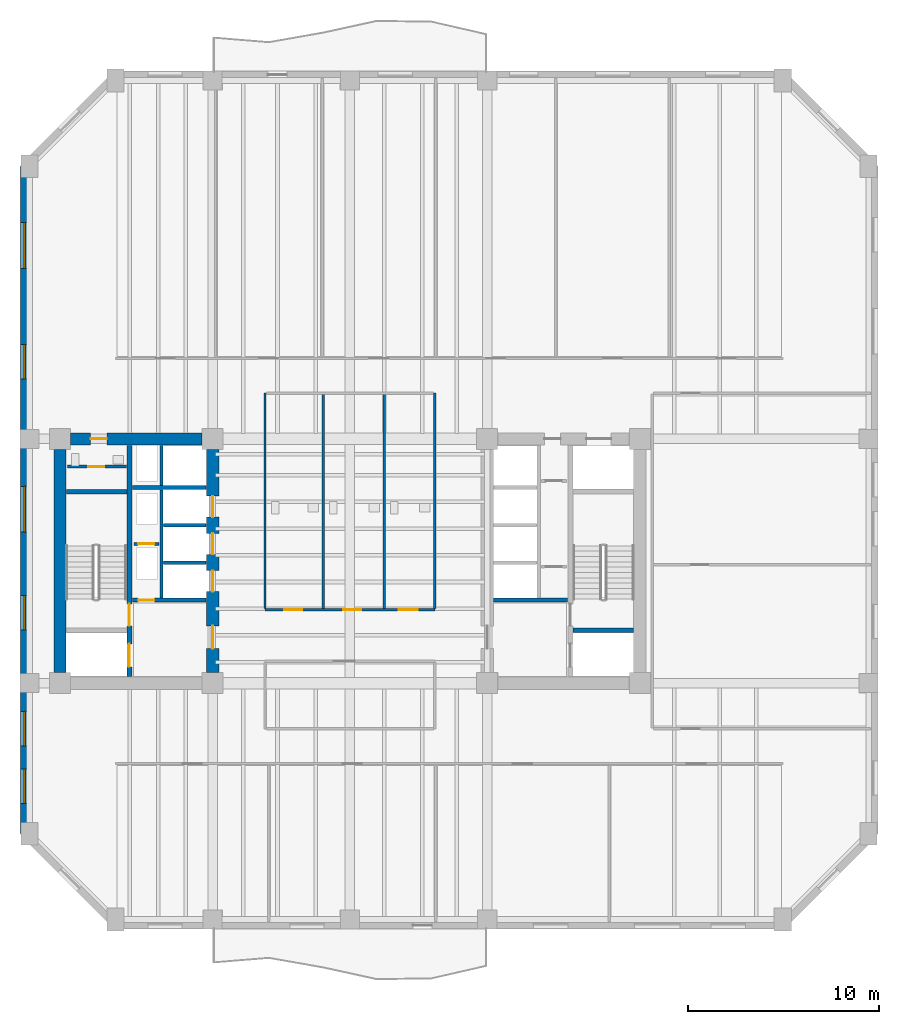
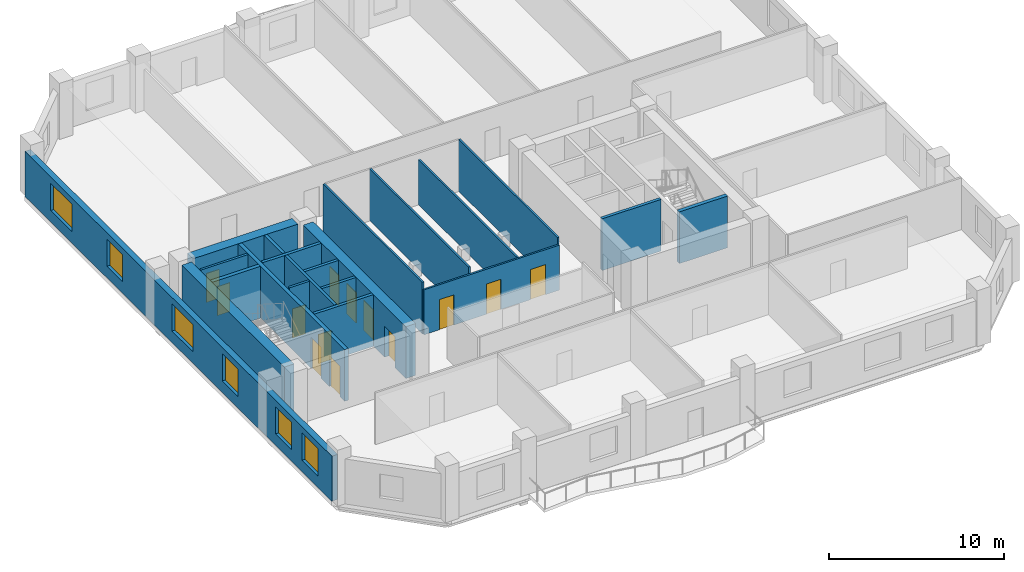
# One storey, part 3 of 8: 21 walls, 13 doors, 6 windows, 19 openings.
"""IFC4 building model written with IfcOpenShell, lengths in metres."""

import ifcopenshell
import ifcopenshell.guid

model = None  # the IFC model being written
_history = None  # IfcOwnerHistory: only IFC2X3 demands one
_inside = {}  # id of a spatial element -> (the spatial element, [elements in it])
_under = {}  # id of a project, library or spatial element -> (it, [spatial elements below it])
_declared = {}  # id of a project -> (the project, [libraries it declares])
_typed = {}  # id of a type object -> (the type object, [elements of that type])
_made_of = {}  # id of a material, layer set ... -> (it, [elements and type objects made of it])


def new_model(schema):
    """Start an empty IFC model of exactly this schema.

    Asked for "IFC4X3", IfcOpenShell would pick the latest addendum, in which some entities
    have other attributes; the version numbers below select the first issue.
    IFC2X3 requires an IfcOwnerHistory on every rooted entity: one is made here for all.
    """
    global model, _history
    if schema == "IFC4X3":
        model = ifcopenshell.file(schema_version=(4, 3, 0, 0))
    else:
        model = ifcopenshell.file(schema=schema)
    _inside.clear()
    _under.clear()
    _declared.clear()
    _typed.clear()
    _made_of.clear()
    _history = None
    if model.schema == "IFC2X3":
        org = make("IfcOrganization", Name="unknown")
        user = make(
            "IfcPersonAndOrganization",
            ThePerson=make("IfcPerson", FamilyName="unknown"),
            TheOrganization=org,
        )
        app = make(
            "IfcApplication",
            ApplicationDeveloper=org,
            Version="unknown",
            ApplicationFullName="unknown",
            ApplicationIdentifier="unknown",
        )
        _history = make(
            "IfcOwnerHistory",
            OwningUser=user,
            OwningApplication=app,
            ChangeAction="ADDED",
            CreationDate=0,
        )
    return model


def make(cls, **values):
    """One entity of the class cls with the attributes given. An attribute that is None is left unset."""
    return model.create_entity(
        cls, **{name: value for name, value in values.items() if value is not None}
    )


def rooted(cls, **values):
    """An entity with a GlobalId (a new one), such as an element, a storey or a relation."""
    return make(cls, GlobalId=ifcopenshell.guid.new(), OwnerHistory=_history, **values)


def si_unit(unit_type, name, prefix=None):
    """IfcSIUnit, for example si_unit("LENGTHUNIT", "METRE", prefix="MILLI")."""
    return make("IfcSIUnit", UnitType=unit_type, Prefix=prefix, Name=name)


def assignment(units):
    """IfcUnitAssignment: the units of a project."""
    return None if units is None else make("IfcUnitAssignment", Units=units)


def point(xyz):
    """IfcCartesianPoint."""
    return None if xyz is None else make("IfcCartesianPoint", Coordinates=xyz)


def direction(xyz):
    """IfcDirection."""
    return None if xyz is None else make("IfcDirection", DirectionRatios=xyz)


def frame(location, z_axis=None, x_axis=None):
    """IfcAxis2Placement3D, a coordinate frame: its origin and axes. An axis left out is left unset."""
    return make(
        "IfcAxis2Placement3D",
        Location=point(location),
        Axis=direction(z_axis),
        RefDirection=direction(x_axis),
    )


def frame_2d(location, x_axis=None):
    """IfcAxis2Placement2D, a coordinate frame in the plane: its origin and x axis."""
    return make(
        "IfcAxis2Placement2D", Location=point(location), RefDirection=direction(x_axis)
    )


def origin():
    """The frame at (0, 0, 0) with its axes left unset."""
    return frame((0.0, 0.0, 0.0))


def place(relative_to, where):
    """IfcLocalPlacement: puts the frame where relative to a parent placement (None: the world)."""
    return make(
        "IfcLocalPlacement", PlacementRelTo=relative_to, RelativePlacement=where
    )


def context(
    kind, dimensions, precision=None, world=None, true_north=None, identifier=None
):
    """IfcGeometricRepresentationContext, for example the 3D "Model" context."""
    return make(
        "IfcGeometricRepresentationContext",
        ContextIdentifier=identifier,
        ContextType=kind,
        CoordinateSpaceDimension=dimensions,
        Precision=precision,
        WorldCoordinateSystem=world,
        TrueNorth=true_north,
    )


def subcontext(parent, identifier, kind, view, scale=None):
    """IfcGeometricRepresentationSubContext, for example "Body" below "Model"."""
    return make(
        "IfcGeometricRepresentationSubContext",
        ContextIdentifier=identifier,
        ContextType=kind,
        ParentContext=parent,
        TargetScale=scale,
        TargetView=view,
    )


def project(units=None, contexts=None):
    """IfcProject with its units and contexts."""
    return rooted(
        "IfcProject",
        Name="project",
        RepresentationContexts=contexts,
        UnitsInContext=assignment(units),
    )


def spatial(cls, under=None, at=None, **own):
    """A site, building, storey or space (cls), placed at a placement, below another one or the project."""
    s = rooted(cls, ObjectPlacement=at, **own)
    if under is not None:
        _under.setdefault(under.id(), (under, []))[1].append(s)
    return s


def profile(cls, at=None, kind="AREA", **sizes):
    """A parametric profile (cls). Its sizes go by their IFC names, for example OverallWidth=200.0."""
    return make(cls, ProfileType=kind, Position=at, **sizes)


def rectangle(**sizes):
    """IfcRectangleProfileDef."""
    return profile("IfcRectangleProfileDef", **sizes)


def extrude(swept, where, along, depth):
    """IfcExtrudedAreaSolid: the profile swept, set in the frame where, extruded along a direction by depth."""
    return make(
        "IfcExtrudedAreaSolid",
        SweptArea=swept,
        Position=where,
        ExtrudedDirection=direction(along),
        Depth=depth,
    )


def shape(context_of_items, identifier, shape_type, items):
    """IfcShapeRepresentation: the items that make up one representation, for example the "Body"."""
    return make(
        "IfcShapeRepresentation",
        ContextOfItems=context_of_items,
        RepresentationIdentifier=identifier,
        RepresentationType=shape_type,
        Items=items,
    )


def material(Name=None, Category=None):
    """IfcMaterial."""
    return make("IfcMaterial", Name=Name, Category=Category)


def layer(
    of_material, thickness, ventilated=None, Name=None, Category=None, Priority=None
):
    """IfcMaterialLayer: one layer of a wall or slab, of a material (None: an air gap)."""
    return make(
        "IfcMaterialLayer",
        Material=of_material,
        LayerThickness=thickness,
        IsVentilated=ventilated,
        Name=Name,
        Category=Category,
        Priority=Priority,
    )


def layer_set(layers, Name=None):
    """IfcMaterialLayerSet."""
    return make("IfcMaterialLayerSet", MaterialLayers=layers, LayerSetName=Name)


def made_of(thing, what):
    """Note that an element or type object is made of a material, layer set ...; save() writes the relation."""
    if what is not None:
        _made_of.setdefault(what.id(), (what, []))[1].append(thing)
    return thing


def type_object(cls, material=None, **own):
    """A type object (cls), such as IfcWallType, which elements share."""
    return made_of(rooted(cls, **own), material)


def element(
    cls,
    number,
    at=None,
    inside=None,
    cuts=None,
    type_object=None,
    material=None,
    context=None,
    identifier="Body",
    shape_type=None,
    held_by="IfcProductDefinitionShape",
    body=None,
    shapes=None,
    **own,
):
    """One element of the class cls, such as IfcWall. Its Tag is "e" and its number.

    at: its placement. inside: the storey or other place that contains it. cuts: it is an
    opening in that element (IfcRelVoidsElement). A single representation is given by context,
    identifier, shape_type and body (its items); several are given by shapes. held_by: the class
    of the entity that holds the representations. save() writes the other relations.
    """
    e = rooted(cls, Tag="e%d" % number, ObjectPlacement=at, **own)
    if body is not None:
        shapes = [shape(context, identifier, shape_type, body)]
    if shapes is not None:
        e.Representation = make(held_by, Representations=shapes)
    if inside is not None:
        _inside.setdefault(inside.id(), (inside, []))[1].append(e)
    if cuts is not None:
        rooted(
            "IfcRelVoidsElement", RelatingBuildingElement=cuts, RelatedOpeningElement=e
        )
    if type_object is not None:
        _typed.setdefault(type_object.id(), (type_object, []))[1].append(e)
    return made_of(e, material)


def fill(opening, filler):
    """IfcRelFillsElement: the door or window that sits in an opening."""
    return rooted(
        "IfcRelFillsElement",
        RelatingOpeningElement=opening,
        RelatedBuildingElement=filler,
    )


def aggregate(whole, parts):
    """IfcRelAggregates: a whole, such as a stair, and the parts it consists of."""
    return rooted("IfcRelAggregates", RelatingObject=whole, RelatedObjects=parts)


def save(model, path):
    """Write the relations noted so far, then the file.

    IfcRelAggregates (storeys below a building ...), IfcRelContainedInSpatialStructure (elements
    in a storey), IfcRelDefinesByType, IfcRelAssociatesMaterial and IfcRelDeclares: one each for
    every whole, place, type object, material and project.
    """
    for whole, parts in _under.values():
        aggregate(whole, parts)
    for where, things in _inside.values():
        rooted(
            "IfcRelContainedInSpatialStructure",
            RelatedElements=things,
            RelatingStructure=where,
        )
    for kind, things in _typed.values():
        rooted("IfcRelDefinesByType", RelatedObjects=things, RelatingType=kind)
    for what, things in _made_of.values():
        rooted("IfcRelAssociatesMaterial", RelatedObjects=things, RelatingMaterial=what)
    for by, libraries in _declared.values():
        rooted("IfcRelDeclares", RelatingContext=by, RelatedDefinitions=libraries)
    model.write(path)


model = new_model("IFC4")

# Units and contexts
model_context = context("Model", 3, precision=1e-05, world=origin(), true_north=direction((0.0, 1.0)))
body_context = subcontext(model_context, "Body", "Model", "MODEL_VIEW")
ifc_project = project(units=[si_unit("LENGTHUNIT", "METRE"), si_unit("AREAUNIT", "SQUARE_METRE"), si_unit("VOLUMEUNIT", "CUBIC_METRE"), si_unit("PLANEANGLEUNIT", "RADIAN"), si_unit("MASSUNIT", "GRAM", prefix="KILO")], contexts=[model_context])

# Site, building, storey
site_placement = place(None, origin())
site = spatial("IfcSite", under=ifc_project, at=site_placement, CompositionType="ELEMENT")
building_placement = place(site_placement, origin())
building = spatial("IfcBuilding", under=site, at=building_placement, Name="Kranthara Brick Stack", CompositionType="ELEMENT")
storey_placement = place(building_placement, frame((0.0, 0.0, 82.800048828125)))
storey = spatial("IfcBuildingStorey", under=building, at=storey_placement, Name="L20", CompositionType="ELEMENT", Elevation=82.800048828125)

# Wall, openings, windows
ifc_material_1 = material(Name="Kiln-fired clay brick masonry M15", Category="masonry")
ifc_layer_1 = layer(ifc_material_1, 0.3798828125)
ifc_layer_set_1 = layer_set([ifc_layer_1], Name="Kiln-fired clay brick masonry M15")
wall_type_1 = type_object("IfcWallType", Name="WL-BRK-PIER-380", PredefinedType="STANDARD", material=ifc_layer_set_1)
wall_1_placement = place(storey_placement, frame((10.909912109375, 12.89990234375, 0.0), z_axis=(0.0, 0.0, 1.0), x_axis=(0.0, 1.0, 0.0)))
wall_1 = element("IfcWall", 1, at=wall_1_placement, inside=storey, type_object=wall_type_1, Name="L20 Exterior Brick Facade Wall WEST 1", PredefinedType="STANDARD", context=body_context, shape_type="SweptSolid", body=[
    extrude(rectangle(XDim=35.0, YDim=0.3798828125, at=frame_2d((17.5, 0.0))), origin(), (0.0, 0.0, 1.0), 3.135009765625),
])
opening_1_placement = place(wall_1_placement, frame((1.587890625, 0.0, 0.800048828125)))
opening_1 = element("IfcOpeningElement", 2, at=opening_1_placement, cuts=wall_1, Name="Opening WN01", PredefinedType="OPENING", context=body_context, shape_type="SweptSolid", body=[
    extrude(rectangle(XDim=1.800048828125, YDim=1.89990234375, at=frame_2d((0.89990234375, 0.949951171875))), frame((0.0, 0.199951171875, 0.0), z_axis=(0.0, -1.0, 0.0), x_axis=(1.0, 0.0, 0.0)), (0.0, 0.0, 1.0), 0.39990234375),
])
opening_2_placement = place(wall_1_placement, frame((4.612060546875, 0.0, 0.800048828125)))
opening_2 = element("IfcOpeningElement", 3, at=opening_2_placement, cuts=wall_1, Name="Opening WN01", PredefinedType="OPENING", context=body_context, shape_type="SweptSolid", body=[
    extrude(rectangle(XDim=1.800048828125, YDim=1.89990234375, at=frame_2d((0.89990234375, 0.949951171875))), frame((0.0, 0.199951171875, 0.0), z_axis=(0.0, -1.0, 0.0), x_axis=(1.0, 0.0, 0.0)), (0.0, 0.0, 1.0), 0.39990234375),
])
opening_3_placement = place(wall_1_placement, frame((10.68798828125, 0.0, 0.800048828125)))
opening_3 = element("IfcOpeningElement", 4, at=opening_3_placement, cuts=wall_1, Name="Opening WN01", PredefinedType="OPENING", context=body_context, shape_type="SweptSolid", body=[
    extrude(rectangle(XDim=1.800048828125, YDim=1.89990234375, at=frame_2d((0.89990234375, 0.949951171875))), frame((0.0, 0.199951171875, 0.0), z_axis=(0.0, -1.0, 0.0), x_axis=(1.0, 0.0, 0.0)), (0.0, 0.0, 1.0), 0.39990234375),
])
opening_4_placement = place(wall_1_placement, frame((15.81201171875, 0.0, 0.800048828125)))
opening_4 = element("IfcOpeningElement", 5, at=opening_4_placement, cuts=wall_1, Name="Opening WN02", PredefinedType="OPENING", context=body_context, shape_type="SweptSolid", body=[
    extrude(rectangle(XDim=2.39990234375, YDim=1.89990234375, at=frame_2d((1.199951171875, 0.949951171875))), frame((0.0, 0.199951171875, 0.0), z_axis=(0.0, -1.0, 0.0), x_axis=(1.0, 0.0, 0.0)), (0.0, 0.0, 1.0), 0.39990234375),
])
opening_5_placement = place(wall_1_placement, frame((23.85205078125, 0.0, 0.800048828125)))
opening_5 = element("IfcOpeningElement", 6, at=opening_5_placement, cuts=wall_1, Name="Opening WN01", PredefinedType="OPENING", context=body_context, shape_type="SweptSolid", body=[
    extrude(rectangle(XDim=1.800048828125, YDim=1.89990234375, at=frame_2d((0.89990234375, 0.949951171875))), frame((0.0, 0.199951171875, 0.0), z_axis=(0.0, -1.0, 0.0), x_axis=(1.0, 0.0, 0.0)), (0.0, 0.0, 1.0), 0.39990234375),
])
opening_6_placement = place(wall_1_placement, frame((29.64794921875, 0.0, 0.800048828125)))
opening_6 = element("IfcOpeningElement", 7, at=opening_6_placement, cuts=wall_1, Name="Opening WN02", PredefinedType="OPENING", context=body_context, shape_type="SweptSolid", body=[
    extrude(rectangle(XDim=2.39990234375, YDim=1.89990234375, at=frame_2d((1.199951171875, 0.949951171875))), frame((0.0, 0.199951171875, 0.0), z_axis=(0.0, -1.0, 0.0), x_axis=(1.0, 0.0, 0.0)), (0.0, 0.0, 1.0), 0.39990234375),
])
ifc_material_2 = material(Name="Double-glazed low-E solar control glass", Category="glass")
window_type_1 = type_object("IfcWindowType", Name="WN-OFF-1800x2000", PartitioningType="SINGLE_PANEL", PredefinedType="WINDOW", material=ifc_material_2)
window_1_placement = place(opening_1_placement, origin())
window_1 = element("IfcWindow", 8, at=window_1_placement, inside=storey, type_object=window_type_1, Name="L20 West Deep-Set Brick Window 01", OverallHeight=1.89990234375, OverallWidth=1.800048828125, PartitioningType="SINGLE_PANEL", PredefinedType="WINDOW", context=body_context, shape_type="SweptSolid", body=[
    extrude(rectangle(XDim=1.800048828125, YDim=1.89990234375, at=frame_2d((0.89990234375, 0.949951171875))), frame((0.0, -0.010009765625, 0.0), z_axis=(0.0, -1.0, 0.0), x_axis=(1.0, 0.0, 0.0)), (0.0, 0.0, 1.0), 0.06005859375),
])
fill(opening_1, window_1)
window_2_placement = place(opening_2_placement, origin())
window_2 = element("IfcWindow", 9, at=window_2_placement, inside=storey, type_object=window_type_1, Name="L20 West Deep-Set Brick Window 02", OverallHeight=1.89990234375, OverallWidth=1.800048828125, PartitioningType="SINGLE_PANEL", PredefinedType="WINDOW", context=body_context, shape_type="SweptSolid", body=[
    extrude(rectangle(XDim=1.800048828125, YDim=1.89990234375, at=frame_2d((0.89990234375, 0.949951171875))), frame((0.0, -0.010009765625, 0.0), z_axis=(0.0, -1.0, 0.0), x_axis=(1.0, 0.0, 0.0)), (0.0, 0.0, 1.0), 0.06005859375),
])
fill(opening_2, window_2)
window_3_placement = place(opening_3_placement, origin())
window_3 = element("IfcWindow", 10, at=window_3_placement, inside=storey, type_object=window_type_1, Name="L20 West Deep-Set Brick Window 03", OverallHeight=1.89990234375, OverallWidth=1.800048828125, PartitioningType="SINGLE_PANEL", PredefinedType="WINDOW", context=body_context, shape_type="SweptSolid", body=[
    extrude(rectangle(XDim=1.800048828125, YDim=1.89990234375, at=frame_2d((0.89990234375, 0.949951171875))), frame((0.0, -0.010009765625, 0.0), z_axis=(0.0, -1.0, 0.0), x_axis=(1.0, 0.0, 0.0)), (0.0, 0.0, 1.0), 0.06005859375),
])
fill(opening_3, window_3)
window_4_placement = place(opening_5_placement, origin())
window_4 = element("IfcWindow", 11, at=window_4_placement, inside=storey, type_object=window_type_1, Name="L20 West Deep-Set Brick Window 05", OverallHeight=1.89990234375, OverallWidth=1.800048828125, PartitioningType="SINGLE_PANEL", PredefinedType="WINDOW", context=body_context, shape_type="SweptSolid", body=[
    extrude(rectangle(XDim=1.800048828125, YDim=1.89990234375, at=frame_2d((0.89990234375, 0.949951171875))), frame((0.0, -0.010009765625, 0.0), z_axis=(0.0, -1.0, 0.0), x_axis=(1.0, 0.0, 0.0)), (0.0, 0.0, 1.0), 0.06005859375),
])
fill(opening_5, window_4)
ifc_material_3 = material(Name="Double-glazed low-E solar control glass", Category="glass")
window_type_2 = type_object("IfcWindowType", Name="WN-OFF-2400x2000", PartitioningType="DOUBLE_PANEL_VERTICAL", PredefinedType="WINDOW", material=ifc_material_3)
window_5_placement = place(opening_4_placement, origin())
window_5 = element("IfcWindow", 12, at=window_5_placement, inside=storey, type_object=window_type_2, Name="L20 West Deep-Set Brick Window 04", OverallHeight=1.89990234375, OverallWidth=2.39990234375, PartitioningType="SINGLE_PANEL", PredefinedType="WINDOW", context=body_context, shape_type="SweptSolid", body=[
    extrude(rectangle(XDim=2.39990234375, YDim=1.89990234375, at=frame_2d((1.199951171875, 0.949951171875))), frame((0.0, -0.010009765625, 0.0), z_axis=(0.0, -1.0, 0.0), x_axis=(1.0, 0.0, 0.0)), (0.0, 0.0, 1.0), 0.06005859375),
])
fill(opening_4, window_5)
window_6_placement = place(opening_6_placement, origin())
window_6 = element("IfcWindow", 13, at=window_6_placement, inside=storey, type_object=window_type_2, Name="L20 West Deep-Set Brick Window 06", OverallHeight=1.89990234375, OverallWidth=2.39990234375, PartitioningType="SINGLE_PANEL", PredefinedType="WINDOW", context=body_context, shape_type="SweptSolid", body=[
    extrude(rectangle(XDim=2.39990234375, YDim=1.89990234375, at=frame_2d((1.199951171875, 0.949951171875))), frame((0.0, -0.010009765625, 0.0), z_axis=(0.0, -1.0, 0.0), x_axis=(1.0, 0.0, 0.0)), (0.0, 0.0, 1.0), 0.06005859375),
])
fill(opening_6, window_6)

# Wall, openings, doors
ifc_material_4 = material(Name="Concrete C50/60", Category="concrete")
ifc_layer_2 = layer(ifc_material_4, 0.25)
ifc_layer_set_2 = layer_set([ifc_layer_2], Name="Concrete C50/60")
wall_type_2 = type_object("IfcWallType", Name="WL-CORE-250", PredefinedType="SHEAR", material=ifc_layer_set_2)
wall_2_placement = place(storey_placement, frame((16.43505859375, 21.135009765625, 0.0), z_axis=(0.0, 0.0, 1.0), x_axis=(0.0, 1.0, 0.0)))
wall_2 = element("IfcWall", 14, at=wall_2_placement, inside=storey, type_object=wall_type_2, Name="L20 West Core Stair Bearing Spine Wall", PredefinedType="SHEAR", context=body_context, shape_type="SweptSolid", body=[
    extrude(rectangle(XDim=12.1298828125, YDim=0.25, at=frame_2d((6.06494140625, 0.0))), origin(), (0.0, 0.0, 1.0), 3.599853515625),
])
opening_7_placement = place(wall_2_placement, frame((0.514892578125, 0.0, 0.0)))
opening_7 = element("IfcOpeningElement", 15, at=opening_7_placement, cuts=wall_2, Name="Opening LD01", PredefinedType="OPENING", context=body_context, shape_type="SweptSolid", body=[
    extrude(rectangle(XDim=1.199951171875, YDim=2.14990234375, at=frame_2d((0.60009765625, 1.074951171875))), frame((0.0, 0.135009765625, 0.0), z_axis=(0.0, -1.0, 0.0), x_axis=(1.0, 0.0, 0.0)), (0.0, 0.0, 1.0), 0.27001953125),
])
opening_8_placement = place(wall_2_placement, frame((2.6650390625, 0.0, 0.0)))
opening_8 = element("IfcOpeningElement", 16, at=opening_8_placement, cuts=wall_2, Name="Opening D05", PredefinedType="OPENING", context=body_context, shape_type="SweptSolid", body=[
    extrude(rectangle(XDim=1.14990234375, YDim=2.14990234375, at=frame_2d((0.574951171875, 1.074951171875))), frame((0.0, 0.135009765625, 0.0), z_axis=(0.0, -1.0, 0.0), x_axis=(1.0, 0.0, 0.0)), (0.0, 0.0, 1.0), 0.27001953125),
])
ifc_material_5 = material(Name="Stainless steel sliding landing door", Category="steel")
door_type_1 = type_object("IfcDoorType", Name="DR-LD-FF1200", OperationType="DOUBLE_DOOR_SLIDING", PredefinedType="DOOR", material=ifc_material_5)
door_1_placement = place(opening_7_placement, origin())
door_1 = element("IfcDoor", 17, at=door_1_placement, inside=storey, type_object=door_type_1, Name="L20 Firefighting Lift FF-01 Landing Door", OperationType="DOUBLE_DOOR_SLIDING", OverallHeight=2.14990234375, OverallWidth=1.199951171875, PredefinedType="DOOR", context=body_context, shape_type="SweptSolid", body=[
    extrude(rectangle(XDim=1.199951171875, YDim=2.14990234375, at=frame_2d((0.60009765625, 1.074951171875))), frame((0.0, 0.02490234375, 0.0), z_axis=(0.0, -1.0, 0.0), x_axis=(1.0, 0.0, 0.0)), (0.0, 0.0, 1.0), 0.050048828125),
])
fill(opening_7, door_1)
ifc_material_6 = material(Name="Solid-core hardwood timber leaf in steel frame", Category="steel")
door_type_2 = type_object("IfcDoorType", Name="DR-ST-1150", OperationType="NOTDEFINED", PredefinedType="DOOR", material=ifc_material_6)
door_2_placement = place(opening_8_placement, origin())
door_2 = element("IfcDoor", 18, at=door_2_placement, inside=storey, type_object=door_type_2, Name="L20 Exit Stair ST01 Door", OperationType="SINGLE_SWING_RIGHT", OverallHeight=2.14990234375, OverallWidth=1.14990234375, PredefinedType="DOOR", context=body_context, shape_type="SweptSolid", body=[
    extrude(rectangle(XDim=1.14990234375, YDim=2.14990234375, at=frame_2d((0.574951171875, 1.074951171875))), frame((0.0, 0.02490234375, 0.0), z_axis=(0.0, -1.0, 0.0), x_axis=(1.0, 0.0, 0.0)), (0.0, 0.0, 1.0), 0.050048828125),
])
fill(opening_8, door_2)

# Walls
for number, where, z_axis, x_axis, name in (
    (19, (13.135009765625, 30.830078125, 0.0), (0.0, 0.0, 1.0), (1.0, 0.0, 0.0), "L20 West Stairwell Bearing Wall WST"),
    (20, (39.68994140625, 23.570068359375, 0.0), (0.0, 0.0, 1.0), (1.0, 0.0, 0.0), "L20 East Stairwell Bearing Wall EFF"),
):
    element("IfcWall", number, at=place(storey_placement, frame(where, z_axis=z_axis, x_axis=x_axis)), inside=storey, type_object=wall_type_2, Name=name, PredefinedType="SHEAR", context=body_context, shape_type="SweptSolid", body=[
        extrude(rectangle(XDim=3.175048828125, YDim=0.25, at=frame_2d((1.58740234375, 0.0))), origin(), (0.0, 0.0, 1.0), 3.599853515625),
    ])
ifc_material_7 = material(Name="Concrete C60/75", Category="concrete")
ifc_layer_3 = layer(ifc_material_7, 0.64990234375)
ifc_layer_set_3 = layer_set([ifc_layer_3], Name="Concrete C60/75")
wall_type_3 = type_object("IfcWallType", Name="WL-CORE-650", PredefinedType="SHEAR", material=ifc_layer_set_3)
wall_3_placement = place(storey_placement, frame((12.800048828125, 21.35498046875, 0.0), z_axis=(0.0, 0.0, 1.0), x_axis=(0.0, 1.0, 0.0)))
element("IfcWall", 21, at=wall_3_placement, inside=storey, type_object=wall_type_3, Name="L20 West Core Shear Wall West", PredefinedType="SHEAR", context=body_context, shape_type="SweptSolid", body=[
    extrude(rectangle(XDim=11.68994140625, YDim=0.64990234375, at=frame_2d((5.844970703125, 0.0))), origin(), (0.0, 0.0, 1.0), 3.599853515625),
])

# Wall, opening, door
wall_4_placement = place(storey_placement, frame((13.35498046875, 33.60009765625, 0.0), z_axis=(0.0, 0.0, 1.0), x_axis=(1.0, 0.0, 0.0)))
wall_4 = element("IfcWall", 22, at=wall_4_placement, inside=storey, type_object=wall_type_3, Name="L20 West Core Shear Wall North", PredefinedType="SHEAR", context=body_context, shape_type="SweptSolid", body=[
    extrude(rectangle(XDim=6.89013671875, YDim=0.64990234375, at=frame_2d((3.445068359375, 0.0))), origin(), (0.0, 0.0, 1.0), 3.599853515625),
])
opening_9_placement = place(wall_4_placement, frame((1.044921875, 0.0, 0.0)))
opening_9 = element("IfcOpeningElement", 23, at=opening_9_placement, cuts=wall_4, Name="Opening D10", PredefinedType="OPENING", context=body_context, shape_type="SweptSolid", body=[
    extrude(rectangle(XDim=0.85009765625, YDim=2.02001953125, at=frame_2d((0.425048828125, 1.010009765625))), frame((0.0, 0.3349609375, 0.0), z_axis=(0.0, -1.0, 0.0), x_axis=(1.0, 0.0, 0.0)), (0.0, 0.0, 1.0), 0.669921875),
])
ifc_material_8 = material(Name="Solid-core hardwood timber leaf in steel frame", Category="steel")
door_type_3 = type_object("IfcDoorType", Name="DR-RSR-850", OperationType="NOTDEFINED", PredefinedType="DOOR", material=ifc_material_8)
door_3_placement = place(opening_9_placement, origin())
door_3 = element("IfcDoor", 24, at=door_3_placement, inside=storey, type_object=door_type_3, Name="L20 West Core Service Door 1", OperationType="SINGLE_SWING_LEFT", OverallHeight=2.02001953125, OverallWidth=0.85009765625, PredefinedType="DOOR", context=body_context, shape_type="SweptSolid", body=[
    extrude(rectangle(XDim=0.85009765625, YDim=2.02001953125, at=frame_2d((0.425048828125, 1.010009765625))), frame((0.0, 0.02490234375, 0.0), z_axis=(0.0, -1.0, 0.0), x_axis=(1.0, 0.0, 0.0)), (0.0, 0.0, 1.0), 0.050048828125),
])
fill(opening_9, door_3)

# Wall, openings, doors
wall_5_placement = place(storey_placement, frame((20.800048828125, 21.35498046875, 0.0), z_axis=(0.0, 0.0, 1.0), x_axis=(0.0, 1.0, 0.0)))
wall_5 = element("IfcWall", 25, at=wall_5_placement, inside=storey, type_object=wall_type_3, Name="L20 West Core Shear Wall East", PredefinedType="SHEAR", context=body_context, shape_type="SweptSolid", body=[
    extrude(rectangle(XDim=11.68994140625, YDim=0.64990234375, at=frame_2d((5.844970703125, 0.0))), origin(), (0.0, 0.0, 1.0), 3.599853515625),
])
opening_10_placement = place(wall_5_placement, frame((1.2451171875, 0.0, 0.0)))
opening_10 = element("IfcOpeningElement", 26, at=opening_10_placement, cuts=wall_5, Name="Opening D06", PredefinedType="OPENING", context=body_context, shape_type="SweptSolid", body=[
    extrude(rectangle(XDim=1.199951171875, YDim=2.14990234375, at=frame_2d((0.60009765625, 1.074951171875))), frame((0.0, 0.3349609375, 0.0), z_axis=(0.0, -1.0, 0.0), x_axis=(1.0, 0.0, 0.0)), (0.0, 0.0, 1.0), 0.669921875),
])
opening_11_placement = place(wall_5_placement, frame((4.2451171875, 0.0, 0.0)))
opening_11 = element("IfcOpeningElement", 27, at=opening_11_placement, cuts=wall_5, Name="Opening LD02", PredefinedType="OPENING", context=body_context, shape_type="SweptSolid", body=[
    extrude(rectangle(XDim=1.10009765625, YDim=2.10009765625, at=frame_2d((0.550048828125, 1.050048828125))), frame((0.0, 0.3349609375, 0.0), z_axis=(0.0, -1.0, 0.0), x_axis=(1.0, 0.0, 0.0)), (0.0, 0.0, 1.0), 0.669921875),
])
opening_12_placement = place(wall_5_placement, frame((6.195068359375, 0.0, 0.0)))
opening_12 = element("IfcOpeningElement", 28, at=opening_12_placement, cuts=wall_5, Name="Opening LD02", PredefinedType="OPENING", context=body_context, shape_type="SweptSolid", body=[
    extrude(rectangle(XDim=1.10009765625, YDim=2.10009765625, at=frame_2d((0.550048828125, 1.050048828125))), frame((0.0, 0.3349609375, 0.0), z_axis=(0.0, -1.0, 0.0), x_axis=(1.0, 0.0, 0.0)), (0.0, 0.0, 1.0), 0.669921875),
])
opening_13_placement = place(wall_5_placement, frame((8.14501953125, 0.0, 0.0)))
opening_13 = element("IfcOpeningElement", 29, at=opening_13_placement, cuts=wall_5, Name="Opening LD02", PredefinedType="OPENING", context=body_context, shape_type="SweptSolid", body=[
    extrude(rectangle(XDim=1.10009765625, YDim=2.10009765625, at=frame_2d((0.550048828125, 1.050048828125))), frame((0.0, 0.3349609375, 0.0), z_axis=(0.0, -1.0, 0.0), x_axis=(1.0, 0.0, 0.0)), (0.0, 0.0, 1.0), 0.669921875),
])
ifc_material_9 = material(Name="Solid-core hardwood timber leaf in steel frame", Category="steel")
door_type_4 = type_object("IfcDoorType", Name="DR-FFL-1200", OperationType="NOTDEFINED", PredefinedType="DOOR", material=ifc_material_9)
door_4_placement = place(opening_10_placement, origin())
door_4 = element("IfcDoor", 30, at=door_4_placement, inside=storey, type_object=door_type_4, Name="L20 West Firefighting Lobby Door", OperationType="SINGLE_SWING_LEFT", OverallHeight=2.14990234375, OverallWidth=1.199951171875, PredefinedType="DOOR", context=body_context, shape_type="SweptSolid", body=[
    extrude(rectangle(XDim=1.199951171875, YDim=2.14990234375, at=frame_2d((0.60009765625, 1.074951171875))), frame((0.0, 0.02490234375, 0.0), z_axis=(0.0, -1.0, 0.0), x_axis=(1.0, 0.0, 0.0)), (0.0, 0.0, 1.0), 0.050048828125),
])
fill(opening_10, door_4)
ifc_material_10 = material(Name="Stainless steel sliding landing door", Category="steel")
door_type_5 = type_object("IfcDoorType", Name="DR-LD-PL1100", OperationType="DOUBLE_DOOR_SLIDING", PredefinedType="DOOR", material=ifc_material_10)
door_5_placement = place(opening_11_placement, origin())
door_5 = element("IfcDoor", 31, at=door_5_placement, inside=storey, type_object=door_type_5, Name="L20 PL-01 Lift Landing Door", OperationType="DOUBLE_DOOR_SLIDING", OverallHeight=2.10009765625, OverallWidth=1.10009765625, PredefinedType="DOOR", context=body_context, shape_type="SweptSolid", body=[
    extrude(rectangle(XDim=1.10009765625, YDim=2.10009765625, at=frame_2d((0.550048828125, 1.050048828125))), frame((0.0, 0.02490234375, 0.0), z_axis=(0.0, -1.0, 0.0), x_axis=(1.0, 0.0, 0.0)), (0.0, 0.0, 1.0), 0.050048828125),
])
fill(opening_11, door_5)
door_6_placement = place(opening_12_placement, origin())
door_6 = element("IfcDoor", 32, at=door_6_placement, inside=storey, type_object=door_type_5, Name="L20 PL-02 Lift Landing Door", OperationType="DOUBLE_DOOR_SLIDING", OverallHeight=2.10009765625, OverallWidth=1.10009765625, PredefinedType="DOOR", context=body_context, shape_type="SweptSolid", body=[
    extrude(rectangle(XDim=1.10009765625, YDim=2.10009765625, at=frame_2d((0.550048828125, 1.050048828125))), frame((0.0, 0.02490234375, 0.0), z_axis=(0.0, -1.0, 0.0), x_axis=(1.0, 0.0, 0.0)), (0.0, 0.0, 1.0), 0.050048828125),
])
fill(opening_12, door_6)
door_7_placement = place(opening_13_placement, origin())
door_7 = element("IfcDoor", 33, at=door_7_placement, inside=storey, type_object=door_type_5, Name="L20 PL-03 Lift Landing Door", OperationType="DOUBLE_DOOR_SLIDING", OverallHeight=2.10009765625, OverallWidth=1.10009765625, PredefinedType="DOOR", context=body_context, shape_type="SweptSolid", body=[
    extrude(rectangle(XDim=1.10009765625, YDim=2.10009765625, at=frame_2d((0.550048828125, 1.050048828125))), frame((0.0, 0.02490234375, 0.0), z_axis=(0.0, -1.0, 0.0), x_axis=(1.0, 0.0, 0.0)), (0.0, 0.0, 1.0), 0.050048828125),
])
fill(opening_13, door_7)

ifc_material_11 = material(Name="Acoustic gypsum plasterboard partition", Category="other")
ifc_layer_4 = layer(ifc_material_11, 0.1201171875)
ifc_layer_set_4 = layer_set([ifc_layer_4], Name="Acoustic gypsum plasterboard partition")
wall_type_4 = type_object("IfcWallType", Name="WL-PART-120", PredefinedType="PARTITIONING", material=ifc_layer_set_4)
wall_6_placement = place(storey_placement, frame((23.550048828125, 24.64990234375, 0.0), z_axis=(0.0, 0.0, 1.0), x_axis=(1.0, 0.0, 0.0)))
wall_6 = element("IfcWall", 34, at=wall_6_placement, inside=storey, type_object=wall_type_4, Name="L20 Interior Partition 005", PredefinedType="PARTITIONING", context=body_context, shape_type="SweptSolid", body=[
    extrude(rectangle(XDim=8.89990234375, YDim=0.1201171875, at=frame_2d((4.449951171875, 0.0))), origin(), (0.0, 0.0, 1.0), 3.135009765625),
])
opening_14_placement = place(wall_6_placement, frame((1.0, 0.0, 0.0)))
opening_14 = element("IfcOpeningElement", 35, at=opening_14_placement, cuts=wall_6, Name="Opening D14", PredefinedType="OPENING", context=body_context, shape_type="SweptSolid", body=[
    extrude(rectangle(XDim=0.949951171875, YDim=2.10009765625, at=frame_2d((0.47509765625, 1.050048828125))), frame((0.0, 0.070068359375, 0.0), z_axis=(0.0, -1.0, 0.0), x_axis=(1.0, 0.0, 0.0)), (0.0, 0.0, 1.0), 0.14013671875),
])
opening_15_placement = place(wall_6_placement, frame((4.10009765625, 0.0, 0.0)))
opening_15 = element("IfcOpeningElement", 36, at=opening_15_placement, cuts=wall_6, Name="Opening D14", PredefinedType="OPENING", context=body_context, shape_type="SweptSolid", body=[
    extrude(rectangle(XDim=0.949951171875, YDim=2.10009765625, at=frame_2d((0.47509765625, 1.050048828125))), frame((0.0, 0.070068359375, 0.0), z_axis=(0.0, -1.0, 0.0), x_axis=(1.0, 0.0, 0.0)), (0.0, 0.0, 1.0), 0.14013671875),
])
opening_16_placement = place(wall_6_placement, frame((7.0, 0.0, 0.0)))
opening_16 = element("IfcOpeningElement", 37, at=opening_16_placement, cuts=wall_6, Name="Opening D18", PredefinedType="OPENING", context=body_context, shape_type="SweptSolid", body=[
    extrude(rectangle(XDim=1.0, YDim=2.10009765625, at=frame_2d((0.5, 1.050048828125))), frame((0.0, 0.070068359375, 0.0), z_axis=(0.0, -1.0, 0.0), x_axis=(1.0, 0.0, 0.0)), (0.0, 0.0, 1.0), 0.14013671875),
])
ifc_material_12 = material(Name="Solid-core hardwood timber leaf in steel frame", Category="steel")
door_type_6 = type_object("IfcDoorType", Name="DR-ACC-1000", OperationType="NOTDEFINED", PredefinedType="DOOR", material=ifc_material_12)
door_8_placement = place(opening_16_placement, origin())
door_8 = element("IfcDoor", 38, at=door_8_placement, inside=storey, type_object=door_type_6, Name="L20 Accessible WC Door 07", OperationType="SINGLE_SWING_LEFT", OverallHeight=2.10009765625, OverallWidth=1.0, PredefinedType="DOOR", context=body_context, shape_type="SweptSolid", body=[
    extrude(rectangle(XDim=1.0, YDim=2.10009765625, at=frame_2d((0.5, 1.050048828125))), frame((0.0, 0.02490234375, 0.0), z_axis=(0.0, -1.0, 0.0), x_axis=(1.0, 0.0, 0.0)), (0.0, 0.0, 1.0), 0.050048828125),
])
fill(opening_16, door_8)
ifc_material_13 = material(Name="Solid-core hardwood timber leaf in steel frame", Category="steel")
door_type_7 = type_object("IfcDoorType", Name="DR-INT-950", OperationType="NOTDEFINED", PredefinedType="DOOR", material=ifc_material_13)
door_9_placement = place(opening_14_placement, origin())
door_9 = element("IfcDoor", 39, at=door_9_placement, inside=storey, type_object=door_type_7, Name="L20 Male WC Door 05", OperationType="SINGLE_SWING_LEFT", OverallHeight=2.10009765625, OverallWidth=0.949951171875, PredefinedType="DOOR", context=body_context, shape_type="SweptSolid", body=[
    extrude(rectangle(XDim=0.949951171875, YDim=2.10009765625, at=frame_2d((0.47509765625, 1.050048828125))), frame((0.0, 0.02490234375, 0.0), z_axis=(0.0, -1.0, 0.0), x_axis=(1.0, 0.0, 0.0)), (0.0, 0.0, 1.0), 0.050048828125),
])
fill(opening_14, door_9)
door_10_placement = place(opening_15_placement, origin())
door_10 = element("IfcDoor", 40, at=door_10_placement, inside=storey, type_object=door_type_7, Name="L20 Female WC Door 06", OperationType="SINGLE_SWING_RIGHT", OverallHeight=2.10009765625, OverallWidth=0.949951171875, PredefinedType="DOOR", context=body_context, shape_type="SweptSolid", body=[
    extrude(rectangle(XDim=0.949951171875, YDim=2.10009765625, at=frame_2d((0.47509765625, 1.050048828125))), frame((0.0, 0.02490234375, 0.0), z_axis=(0.0, -1.0, 0.0), x_axis=(1.0, 0.0, 0.0)), (0.0, 0.0, 1.0), 0.050048828125),
])
fill(opening_15, door_10)

# Walls
for number, where, z_axis, x_axis, name in (
    (41, (23.550048828125, 24.715087890625, 0.0), (0.0, 0.0, 1.0), (0.0, 1.0, 0.0), "L20 Interior Partition 006"),
    (42, (32.449951171875, 24.715087890625, 0.0), (0.0, 0.0, 1.0), (0.0, 1.0, 0.0), "L20 Interior Partition 007"),
    (43, (26.60009765625, 24.715087890625, 0.0), (0.0, 0.0, 1.0), (0.0, 1.0, 0.0), "L20 Interior Partition 008"),
):
    element("IfcWall", number, at=place(storey_placement, frame(where, z_axis=z_axis, x_axis=x_axis)), inside=storey, type_object=wall_type_4, Name=name, PredefinedType="PARTITIONING", context=body_context, shape_type="SweptSolid", body=[
        extrude(rectangle(XDim=11.284912109375, YDim=0.1201171875, at=frame_2d((5.642578125, 0.0))), origin(), (0.0, 0.0, 1.0), 3.599853515625),
    ])
wall_7_placement = place(storey_placement, frame((29.800048828125, 24.715087890625, 0.0), z_axis=(0.0, 0.0, 1.0), x_axis=(0.0, 1.0, 0.0)))
element("IfcWall", 44, at=wall_7_placement, inside=storey, type_object=wall_type_4, Name="L20 Interior Partition 009", PredefinedType="PARTITIONING", context=body_context, shape_type="SweptSolid", body=[
    extrude(rectangle(XDim=11.284912109375, YDim=0.1201171875, at=frame_2d((5.642578125, 0.0))), origin(), (0.0, 0.0, 1.0), 3.135009765625),
])

# Wall, opening, door
ifc_material_14 = material(Name="Fire-rated gypsum board partition", Category="other")
ifc_layer_5 = layer(ifc_material_14, 0.14990234375)
ifc_layer_set_5 = layer_set([ifc_layer_5], Name="Fire-rated gypsum board partition")
wall_type_5 = type_object("IfcWallType", Name="WL-PART-150", PredefinedType="PARTITIONING", material=ifc_layer_set_5)
wall_8_placement = place(storey_placement, frame((13.179931640625, 32.14990234375, 0.0), z_axis=(0.0, 0.0, 1.0), x_axis=(1.0, 0.0, 0.0)))
wall_8 = element("IfcWall", 45, at=wall_8_placement, inside=storey, type_object=wall_type_5, Name="L20 Interior Partition 001", PredefinedType="PARTITIONING", context=body_context, shape_type="SweptSolid", body=[
    extrude(rectangle(XDim=3.10009765625, YDim=0.14990234375, at=frame_2d((1.550048828125, 0.0))), origin(), (0.0, 0.0, 1.0), 3.599853515625),
])
opening_17_placement = place(wall_8_placement, frame((1.10009765625, 0.0, 0.0)))
opening_17 = element("IfcOpeningElement", 46, at=opening_17_placement, cuts=wall_8, Name="Opening D10", PredefinedType="OPENING", context=body_context, shape_type="SweptSolid", body=[
    extrude(rectangle(XDim=0.85009765625, YDim=2.02001953125, at=frame_2d((0.425048828125, 1.010009765625))), frame((0.0, 0.0849609375, 0.0), z_axis=(0.0, -1.0, 0.0), x_axis=(1.0, 0.0, 0.0)), (0.0, 0.0, 1.0), 0.169921875),
])
door_11_placement = place(opening_17_placement, origin())
door_11 = element("IfcDoor", 47, at=door_11_placement, inside=storey, type_object=door_type_3, Name="L20 West Inner Riser Door 01", OperationType="SINGLE_SWING_LEFT", OverallHeight=2.02001953125, OverallWidth=0.85009765625, PredefinedType="DOOR", context=body_context, shape_type="SweptSolid", body=[
    extrude(rectangle(XDim=0.85009765625, YDim=2.02001953125, at=frame_2d((0.425048828125, 1.010009765625))), frame((0.0, 0.02490234375, 0.0), z_axis=(0.0, -1.0, 0.0), x_axis=(1.0, 0.0, 0.0)), (0.0, 0.0, 1.0), 0.050048828125),
])
fill(opening_17, door_11)

wall_9_placement = place(storey_placement, frame((16.679931640625, 28.10009765625, 0.0), z_axis=(0.0, 0.0, 1.0), x_axis=(1.0, 0.0, 0.0)))
wall_9 = element("IfcWall", 48, at=wall_9_placement, inside=storey, type_object=wall_type_5, Name="L20 Interior Partition 004", PredefinedType="PARTITIONING", context=body_context, shape_type="SweptSolid", body=[
    extrude(rectangle(XDim=1.320068359375, YDim=0.14990234375, at=frame_2d((0.66015625, 0.0))), origin(), (0.0, 0.0, 1.0), 3.599853515625),
])
opening_18_placement = place(wall_9_placement, frame((0.219970703125, 0.0, 0.0)))
opening_18 = element("IfcOpeningElement", 49, at=opening_18_placement, cuts=wall_9, Name="Opening D10", PredefinedType="OPENING", context=body_context, shape_type="SweptSolid", body=[
    extrude(rectangle(XDim=0.85009765625, YDim=2.02001953125, at=frame_2d((0.425048828125, 1.010009765625))), frame((0.0, 0.0849609375, 0.0), z_axis=(0.0, -1.0, 0.0), x_axis=(1.0, 0.0, 0.0)), (0.0, 0.0, 1.0), 0.169921875),
])
door_12_placement = place(opening_18_placement, origin())
door_12 = element("IfcDoor", 50, at=door_12_placement, inside=storey, type_object=door_type_3, Name="L20 Riser Split Door 04", OperationType="SINGLE_SWING_RIGHT", OverallHeight=2.02001953125, OverallWidth=0.85009765625, PredefinedType="DOOR", context=body_context, shape_type="SweptSolid", body=[
    extrude(rectangle(XDim=0.85009765625, YDim=2.02001953125, at=frame_2d((0.425048828125, 1.010009765625))), frame((0.0, 0.02490234375, 0.0), z_axis=(0.0, -1.0, 0.0), x_axis=(1.0, 0.0, 0.0)), (0.0, 0.0, 1.0), 0.050048828125),
])
fill(opening_18, door_12)

# Walls
ifc_material_15 = material(Name="Gypsum plasterboard on acoustic twin stud", Category="other")
ifc_layer_6 = layer(ifc_material_15, 0.179931640625)
ifc_layer_set_6 = layer_set([ifc_layer_6], Name="Gypsum plasterboard on acoustic twin stud")
wall_type_6 = type_object("IfcWallType", Name="WL-PART-180", PredefinedType="PARTITIONING", material=ifc_layer_set_6)
wall_10_placement = place(storey_placement, frame((18.1201171875, 25.27001953125, 0.0), z_axis=(0.0, 0.0, 1.0), x_axis=(0.0, 1.0, 0.0)))
element("IfcWall", 51, at=wall_10_placement, inside=storey, type_object=wall_type_6, Name="L20 West Hoistway Wall WBK", PredefinedType="PARTITIONING", context=body_context, shape_type="SweptSolid", body=[
    extrude(rectangle(XDim=5.659912109375, YDim=0.179931640625, at=frame_2d((2.830078125, 0.0))), origin(), (0.0, 0.0, 1.0), 3.599853515625),
])
wall_11_placement = place(storey_placement, frame((18.1201171875, 31.169921875, 0.0), z_axis=(0.0, 0.0, 1.0), x_axis=(0.0, 1.0, 0.0)))
element("IfcWall", 52, at=wall_11_placement, inside=storey, type_object=wall_type_6, Name="L20 West Hoistway Wall WBK7", PredefinedType="PARTITIONING", context=body_context, shape_type="SweptSolid", body=[
    extrude(rectangle(XDim=2.094970703125, YDim=0.179931640625, at=frame_2d((1.04736328125, 0.0))), origin(), (0.0, 0.0, 1.0), 3.599853515625),
])
for number, where, z_axis, x_axis, name in (
    (53, (18.219970703125, 27.1201171875, 0.0), (0.0, 0.0, 1.0), (1.0, 0.0, 0.0), "L20 West Hoistway Wall WH1"),
    (54, (18.219970703125, 29.080078125, 0.0), (0.0, 0.0, 1.0), (1.0, 0.0, 0.0), "L20 West Hoistway Wall WH2"),
):
    element("IfcWall", number, at=place(storey_placement, frame(where, z_axis=z_axis, x_axis=x_axis)), inside=storey, type_object=wall_type_6, Name=name, PredefinedType="PARTITIONING", context=body_context, shape_type="SweptSolid", body=[
        extrude(rectangle(XDim=2.2451171875, YDim=0.179931640625, at=frame_2d((1.12255859375, 0.0))), origin(), (0.0, 0.0, 1.0), 3.599853515625),
    ])

# Wall, opening, door
ifc_material_16 = material(Name="Concrete C40/50", Category="concrete")
ifc_layer_7 = layer(ifc_material_16, 0.199951171875)
ifc_layer_set_7 = layer_set([ifc_layer_7], Name="Concrete C40/50")
wall_type_7 = type_object("IfcWallType", Name="WL-PART-200", PredefinedType="SOLIDWALL", material=ifc_layer_set_7)
wall_12_placement = place(storey_placement, frame((16.60009765625, 25.14990234375, 0.0), z_axis=(0.0, 0.0, 1.0), x_axis=(1.0, 0.0, 0.0)))
wall_12 = element("IfcWall", 55, at=wall_12_placement, inside=storey, type_object=wall_type_7, Name="L20 West Core Cross Wall WFL", PredefinedType="SOLIDWALL", context=body_context, shape_type="SweptSolid", body=[
    extrude(rectangle(XDim=3.864990234375, YDim=0.199951171875, at=frame_2d((1.9326171875, 0.0))), origin(), (0.0, 0.0, 1.0), 3.599853515625),
])
opening_19_placement = place(wall_12_placement, frame((0.300048828125, 0.0, 0.0)))
opening_19 = element("IfcOpeningElement", 56, at=opening_19_placement, cuts=wall_12, Name="Opening D10", PredefinedType="OPENING", context=body_context, shape_type="SweptSolid", body=[
    extrude(rectangle(XDim=0.85009765625, YDim=2.02001953125, at=frame_2d((0.425048828125, 1.010009765625))), frame((0.0, 0.10986328125, 0.0), z_axis=(0.0, -1.0, 0.0), x_axis=(1.0, 0.0, 0.0)), (0.0, 0.0, 1.0), 0.219970703125),
])
door_13_placement = place(opening_19_placement, origin())
door_13 = element("IfcDoor", 57, at=door_13_placement, inside=storey, type_object=door_type_3, Name="L20 Mechanical Riser Access Door", OperationType="SINGLE_SWING_LEFT", OverallHeight=2.02001953125, OverallWidth=0.85009765625, PredefinedType="DOOR", context=body_context, shape_type="SweptSolid", body=[
    extrude(rectangle(XDim=0.85009765625, YDim=2.02001953125, at=frame_2d((0.425048828125, 1.010009765625))), frame((0.0, 0.02490234375, 0.0), z_axis=(0.0, -1.0, 0.0), x_axis=(1.0, 0.0, 0.0)), (0.0, 0.0, 1.0), 0.050048828125),
])
fill(opening_19, door_13)

# Walls
wall_13_placement = place(storey_placement, frame((16.60009765625, 31.050048828125, 0.0), z_axis=(0.0, 0.0, 1.0), x_axis=(1.0, 0.0, 0.0)))
element("IfcWall", 58, at=wall_13_placement, inside=storey, type_object=wall_type_7, Name="L20 West Core Cross Wall WH4", PredefinedType="SOLIDWALL", context=body_context, shape_type="SweptSolid", body=[
    extrude(rectangle(XDim=3.849853515625, YDim=0.199951171875, at=frame_2d((1.9248046875, 0.0))), origin(), (0.0, 0.0, 1.0), 3.599853515625),
])
wall_14_placement = place(storey_placement, frame((35.534912109375, 25.14990234375, 0.0), z_axis=(0.0, 0.0, 1.0), x_axis=(1.0, 0.0, 0.0)))
element("IfcWall", 59, at=wall_14_placement, inside=storey, type_object=wall_type_7, Name="L20 East Core Cross Wall EFL", PredefinedType="SOLIDWALL", context=body_context, shape_type="SweptSolid", body=[
    extrude(rectangle(XDim=3.864990234375, YDim=0.199951171875, at=frame_2d((1.9326171875, 0.0))), origin(), (0.0, 0.0, 1.0), 3.599853515625),
])

save(model, "model.ifc")
